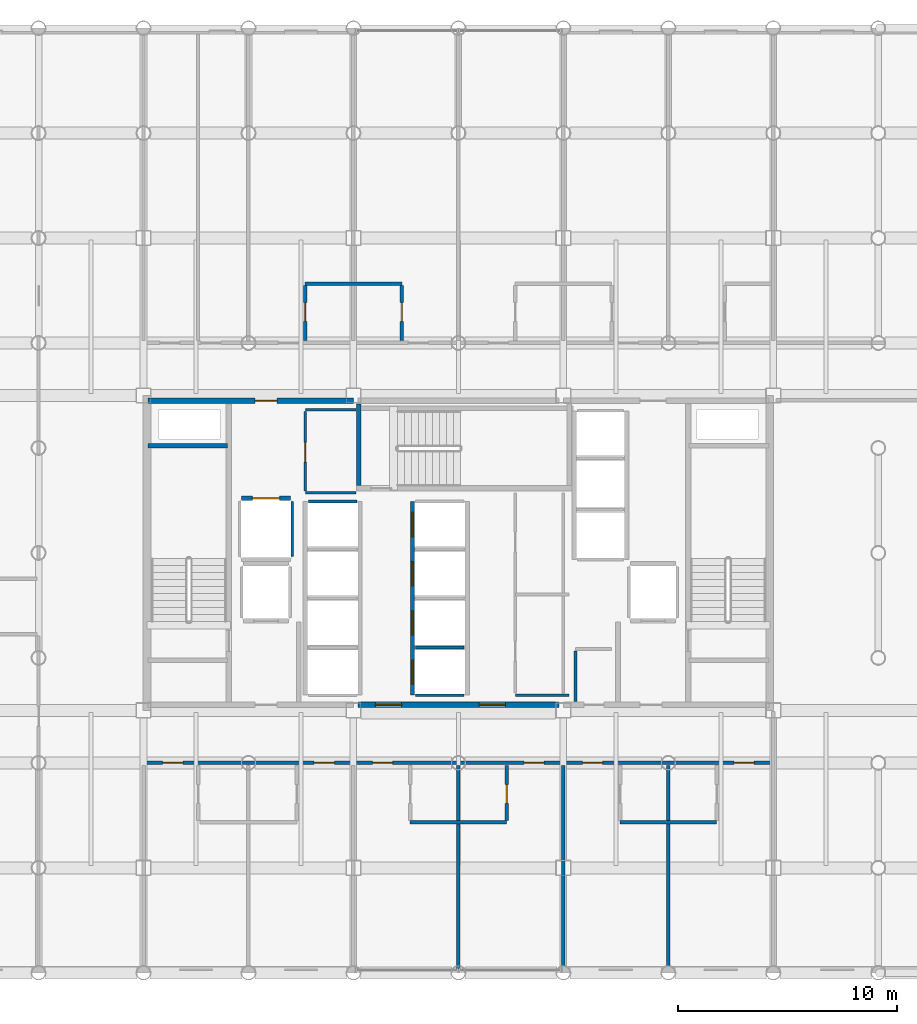
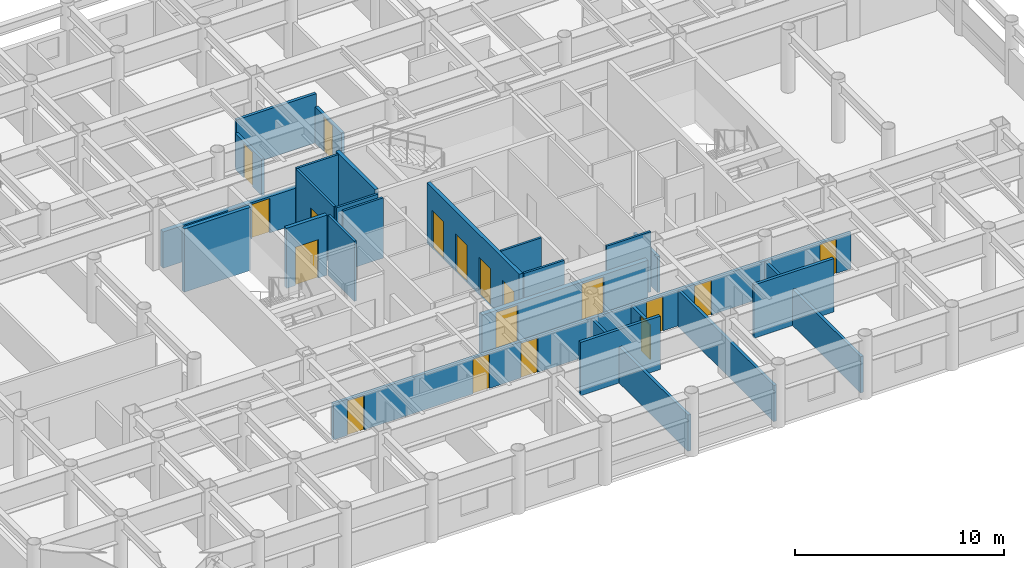
# One storey, part 18 of 23: 25 walls, 18 doors, 18 openings.
"""IFC4 building model written with IfcOpenShell, lengths in metres."""

from ifc_helpers import new_model, si_unit, direction, frame, frame_2d, origin, place, context, subcontext, project, spatial, rectangle, extrude, material, layer, layer_set, type_object, element, fill, save


model = new_model("IFC4")

# Units and contexts
model_context = context("Model", 3, precision=1e-05, world=origin(), true_north=direction((0.0, 1.0)))
body_context = subcontext(model_context, "Body", "Model", "MODEL_VIEW")
ifc_project = project(units=[si_unit("LENGTHUNIT", "METRE"), si_unit("AREAUNIT", "SQUARE_METRE"), si_unit("VOLUMEUNIT", "CUBIC_METRE"), si_unit("PLANEANGLEUNIT", "RADIAN"), si_unit("MASSUNIT", "GRAM", prefix="KILO")], contexts=[model_context])

# Site, building, storey
site_placement = place(None, origin())
site = spatial("IfcSite", under=ifc_project, at=site_placement, CompositionType="ELEMENT")
building_placement = place(site_placement, origin())
building = spatial("IfcBuilding", under=site, at=building_placement, Name="Kallvorn Hotel Tower", CompositionType="ELEMENT")
storey_placement = place(building_placement, frame((0.0, 0.0, 124.800048828125)))
storey = spatial("IfcBuildingStorey", under=building, at=storey_placement, Name="L30", CompositionType="ELEMENT", Elevation=124.800048828125)

# Walls
ifc_material_1 = material(Name="Fire-rated double-layer acoustic gypsum drywall EI 60")
ifc_layer_1 = layer(ifc_material_1, 0.159912109375)
ifc_layer_set_1 = layer_set([ifc_layer_1], Name="WL_DEMISE_160")
wall_type_1 = type_object("IfcWallType", Name="WL_DEMISE_160", PredefinedType="PARTITIONING", material=ifc_layer_set_1)
wall_1_placement = place(storey_placement, frame((-2.2099609375, -12.320068359375, 0.0), z_axis=(0.0, 0.0, 1.0), x_axis=(1.0, 0.0, 0.0)))
element("IfcWall", 1, at=wall_1_placement, inside=storey, type_object=wall_type_1, Name="L30 Suite 3003 Superior Twin Room Partition", PredefinedType="PARTITIONING", context=body_context, shape_type="SweptSolid", body=[
    extrude(rectangle(XDim=4.419921875, YDim=0.159912109375, at=frame_2d((2.2099609375, 0.0))), origin(), (0.0, 0.0, 1.0), 3.119873046875),
])
wall_2_placement = place(storey_placement, frame((7.389892578125, -12.320068359375, 0.0), z_axis=(0.0, 0.0, 1.0), x_axis=(1.0, 0.0, 0.0)))
element("IfcWall", 2, at=wall_2_placement, inside=storey, type_object=wall_type_1, Name="L30 Suite 3005 Superior Twin Room Partition", PredefinedType="PARTITIONING", context=body_context, shape_type="SweptSolid", body=[
    extrude(rectangle(XDim=4.420166015625, YDim=0.159912109375, at=frame_2d((2.2099609375, 0.0))), origin(), (0.0, 0.0, 1.0), 3.119873046875),
])

# Wall, openings, doors
wall_3_placement = place(storey_placement, frame((-14.320068359375, -9.60009765625, 0.0), z_axis=(0.0, 0.0, 1.0), x_axis=(1.0, 0.0, 0.0)))
wall_3 = element("IfcWall", 3, at=wall_3_placement, inside=storey, type_object=wall_type_1, Name="L30 Suite 3001 Superior Twin Room Partition", PredefinedType="PARTITIONING", context=body_context, shape_type="SweptSolid", body=[
    extrude(rectangle(XDim=28.64013671875, YDim=0.159912109375, at=frame_2d((14.320068359375, 0.0))), origin(), (0.0, 0.0, 1.0), 2.119873046875),
])
opening_1_placement = place(wall_3_placement, frame((0.794921875, 0.0, 0.0)))
opening_1 = element("IfcOpeningElement", 4, at=opening_1_placement, cuts=wall_3, Name="Opening GD1A", PredefinedType="OPENING", context=body_context, shape_type="SweptSolid", body=[
    extrude(rectangle(XDim=0.919921875, YDim=2.02001953125, at=frame_2d((0.4599609375, 1.010009765625))), frame((0.0, 0.094970703125, 0.0), z_axis=(0.0, -1.0, 0.0), x_axis=(1.0, 0.0, 0.0)), (0.0, 0.0, 1.0), 0.18994140625),
])
opening_2_placement = place(wall_3_placement, frame((7.72509765625, 0.0, 0.0)))
opening_2 = element("IfcOpeningElement", 5, at=opening_2_placement, cuts=wall_3, Name="Opening GD1A", PredefinedType="OPENING", context=body_context, shape_type="SweptSolid", body=[
    extrude(rectangle(XDim=0.919921875, YDim=2.02001953125, at=frame_2d((0.4599609375, 1.010009765625))), frame((0.0, 0.094970703125, 0.0), z_axis=(0.0, -1.0, 0.0), x_axis=(1.0, 0.0, 0.0)), (0.0, 0.0, 1.0), 0.18994140625),
])
opening_3_placement = place(wall_3_placement, frame((10.39501953125, 0.0, 0.0)))
opening_3 = element("IfcOpeningElement", 6, at=opening_3_placement, cuts=wall_3, Name="Opening GD1A", PredefinedType="OPENING", context=body_context, shape_type="SweptSolid", body=[
    extrude(rectangle(XDim=0.919921875, YDim=2.02001953125, at=frame_2d((0.4599609375, 1.010009765625))), frame((0.0, 0.094970703125, 0.0), z_axis=(0.0, -1.0, 0.0), x_axis=(1.0, 0.0, 0.0)), (0.0, 0.0, 1.0), 0.18994140625),
])
opening_4_placement = place(wall_3_placement, frame((17.324951171875, 0.0, 0.0)))
opening_4 = element("IfcOpeningElement", 7, at=opening_4_placement, cuts=wall_3, Name="Opening GD1A", PredefinedType="OPENING", context=body_context, shape_type="SweptSolid", body=[
    extrude(rectangle(XDim=0.919921875, YDim=2.02001953125, at=frame_2d((0.4599609375, 1.010009765625))), frame((0.0, 0.094970703125, 0.0), z_axis=(0.0, -1.0, 0.0), x_axis=(1.0, 0.0, 0.0)), (0.0, 0.0, 1.0), 0.18994140625),
])
opening_5_placement = place(wall_3_placement, frame((19.9951171875, 0.0, 0.0)))
opening_5 = element("IfcOpeningElement", 8, at=opening_5_placement, cuts=wall_3, Name="Opening GD1A", PredefinedType="OPENING", context=body_context, shape_type="SweptSolid", body=[
    extrude(rectangle(XDim=0.919921875, YDim=2.02001953125, at=frame_2d((0.4599609375, 1.010009765625))), frame((0.0, 0.094970703125, 0.0), z_axis=(0.0, -1.0, 0.0), x_axis=(1.0, 0.0, 0.0)), (0.0, 0.0, 1.0), 0.18994140625),
])
opening_6_placement = place(wall_3_placement, frame((26.925048828125, 0.0, 0.0)))
opening_6 = element("IfcOpeningElement", 9, at=opening_6_placement, cuts=wall_3, Name="Opening GD1A", PredefinedType="OPENING", context=body_context, shape_type="SweptSolid", body=[
    extrude(rectangle(XDim=0.919921875, YDim=2.02001953125, at=frame_2d((0.4599609375, 1.010009765625))), frame((0.0, 0.094970703125, 0.0), z_axis=(0.0, -1.0, 0.0), x_axis=(1.0, 0.0, 0.0)), (0.0, 0.0, 1.0), 0.18994140625),
])
ifc_material_2 = material(Name="Solid-core walnut veneer fire-rated timber door leaf", Category="wood")
door_type_1 = type_object("IfcDoorType", Name="DR_GUEST_920x2020", OperationType="NOTDEFINED", PredefinedType="DOOR", material=ifc_material_2)
door_1_placement = place(opening_1_placement, origin())
door_1 = element("IfcDoor", 10, at=door_1_placement, inside=storey, type_object=door_type_1, Name="L30 Suite 3001 Superior Twin Room Door", OperationType="SINGLE_SWING_LEFT", OverallHeight=2.02001953125, OverallWidth=0.919921875, PredefinedType="DOOR", context=body_context, shape_type="SweptSolid", body=[
    extrude(rectangle(XDim=0.919921875, YDim=2.02001953125, at=frame_2d((0.4599609375, 1.010009765625))), frame((0.0, 0.02490234375, 0.0), z_axis=(0.0, -1.0, 0.0), x_axis=(1.0, 0.0, 0.0)), (0.0, 0.0, 1.0), 0.050048828125),
])
fill(opening_1, door_1)
door_2_placement = place(opening_2_placement, origin())
door_2 = element("IfcDoor", 11, at=door_2_placement, inside=storey, type_object=door_type_1, Name="L30 Suite 3002 Superior Twin Room Door", OperationType="SINGLE_SWING_LEFT", OverallHeight=2.02001953125, OverallWidth=0.919921875, PredefinedType="DOOR", context=body_context, shape_type="SweptSolid", body=[
    extrude(rectangle(XDim=0.919921875, YDim=2.02001953125, at=frame_2d((0.4599609375, 1.010009765625))), frame((0.0, 0.02490234375, 0.0), z_axis=(0.0, -1.0, 0.0), x_axis=(1.0, 0.0, 0.0)), (0.0, 0.0, 1.0), 0.050048828125),
])
fill(opening_2, door_2)
door_3_placement = place(opening_3_placement, origin())
door_3 = element("IfcDoor", 12, at=door_3_placement, inside=storey, type_object=door_type_1, Name="L30 Suite 3003 Superior Twin Room Door", OperationType="SINGLE_SWING_RIGHT", OverallHeight=2.02001953125, OverallWidth=0.919921875, PredefinedType="DOOR", context=body_context, shape_type="SweptSolid", body=[
    extrude(rectangle(XDim=0.919921875, YDim=2.02001953125, at=frame_2d((0.4599609375, 1.010009765625))), frame((0.0, 0.02490234375, 0.0), z_axis=(0.0, -1.0, 0.0), x_axis=(1.0, 0.0, 0.0)), (0.0, 0.0, 1.0), 0.050048828125),
])
fill(opening_3, door_3)
door_4_placement = place(opening_4_placement, origin())
door_4 = element("IfcDoor", 13, at=door_4_placement, inside=storey, type_object=door_type_1, Name="L30 Suite 3004 Superior Twin Room Door", OperationType="SINGLE_SWING_RIGHT", OverallHeight=2.02001953125, OverallWidth=0.919921875, PredefinedType="DOOR", context=body_context, shape_type="SweptSolid", body=[
    extrude(rectangle(XDim=0.919921875, YDim=2.02001953125, at=frame_2d((0.4599609375, 1.010009765625))), frame((0.0, 0.02490234375, 0.0), z_axis=(0.0, -1.0, 0.0), x_axis=(1.0, 0.0, 0.0)), (0.0, 0.0, 1.0), 0.050048828125),
])
fill(opening_4, door_4)
door_5_placement = place(opening_5_placement, origin())
door_5 = element("IfcDoor", 14, at=door_5_placement, inside=storey, type_object=door_type_1, Name="L30 Suite 3005 Superior Twin Room Door", OperationType="SINGLE_SWING_RIGHT", OverallHeight=2.02001953125, OverallWidth=0.919921875, PredefinedType="DOOR", context=body_context, shape_type="SweptSolid", body=[
    extrude(rectangle(XDim=0.919921875, YDim=2.02001953125, at=frame_2d((0.4599609375, 1.010009765625))), frame((0.0, 0.02490234375, 0.0), z_axis=(0.0, -1.0, 0.0), x_axis=(1.0, 0.0, 0.0)), (0.0, 0.0, 1.0), 0.050048828125),
])
fill(opening_5, door_5)
door_6_placement = place(opening_6_placement, origin())
door_6 = element("IfcDoor", 15, at=door_6_placement, inside=storey, type_object=door_type_1, Name="L30 Suite 3006 Superior Twin Room Door", OperationType="SINGLE_SWING_LEFT", OverallHeight=2.02001953125, OverallWidth=0.919921875, PredefinedType="DOOR", context=body_context, shape_type="SweptSolid", body=[
    extrude(rectangle(XDim=0.919921875, YDim=2.02001953125, at=frame_2d((0.4599609375, 1.010009765625))), frame((0.0, 0.02490234375, 0.0), z_axis=(0.0, -1.0, 0.0), x_axis=(1.0, 0.0, 0.0)), (0.0, 0.0, 1.0), 0.050048828125),
])
fill(opening_6, door_6)

# Wall
wall_4_placement = place(storey_placement, frame((-7.010009765625, 12.320068359375, 0.0), z_axis=(0.0, 0.0, 1.0), x_axis=(1.0, 0.0, 0.0)))
element("IfcWall", 16, at=wall_4_placement, inside=storey, type_object=wall_type_1, Name="L30 Suite 3007 Standard Twin Room Partition", PredefinedType="PARTITIONING", context=body_context, shape_type="SweptSolid", body=[
    extrude(rectangle(XDim=4.419921875, YDim=0.159912109375, at=frame_2d((2.2099609375, 0.0))), origin(), (0.0, 0.0, 1.0), 2.869873046875),
])

# Wall, opening, door
wall_5_placement = place(storey_placement, frame((-7.006591796875, 9.719970703125, 0.0), z_axis=(0.0, 0.0, 1.0), x_axis=(0.0, 1.0, 0.0)))
wall_5 = element("IfcWall", 17, at=wall_5_placement, inside=storey, type_object=wall_type_1, Name="L30 Suite 3007 Standard Twin Room Partition", PredefinedType="PARTITIONING", context=body_context, shape_type="SweptSolid", body=[
    extrude(rectangle(XDim=2.51513671875, YDim=0.159912109375, at=frame_2d((1.257568359375, 0.0))), origin(), (0.0, 0.0, 1.0), 2.119873046875),
])
opening_7_placement = place(wall_5_placement, frame((0.8701171875, 0.0, 0.0)))
opening_7 = element("IfcOpeningElement", 18, at=opening_7_placement, cuts=wall_5, Name="Opening BD-IA", PredefinedType="OPENING", context=body_context, shape_type="SweptSolid", body=[
    extrude(rectangle(XDim=0.860107421875, YDim=2.02001953125, at=frame_2d((0.43017578125, 1.010009765625))), frame((0.0, 0.094970703125, 0.0), z_axis=(0.0, -1.0, 0.0), x_axis=(1.0, 0.0, 0.0)), (0.0, 0.0, 1.0), 0.18994140625),
])
ifc_material_3 = material(Name="Solid-core walnut veneer fire-rated timber door leaf", Category="wood")
door_type_2 = type_object("IfcDoorType", Name="DR_BATH_860x2020", OperationType="NOTDEFINED", PredefinedType="DOOR", material=ifc_material_3)
door_7_placement = place(opening_7_placement, origin())
door_7 = element("IfcDoor", 19, at=door_7_placement, inside=storey, type_object=door_type_2, Name="L30 Suite 3007 En-Suite Bathroom Door", OperationType="SINGLE_SWING_RIGHT", OverallHeight=2.02001953125, OverallWidth=0.860107421875, PredefinedType="DOOR", context=body_context, shape_type="SweptSolid", body=[
    extrude(rectangle(XDim=0.860107421875, YDim=2.02001953125, at=frame_2d((0.43017578125, 1.010009765625))), frame((0.0, 0.02490234375, 0.0), z_axis=(0.0, -1.0, 0.0), x_axis=(1.0, 0.0, 0.0)), (0.0, 0.0, 1.0), 0.050048828125),
])
fill(opening_7, door_7)

wall_6_placement = place(storey_placement, frame((-2.590087890625, 9.719970703125, 0.0), z_axis=(0.0, 0.0, 1.0), x_axis=(0.0, 1.0, 0.0)))
wall_6 = element("IfcWall", 20, at=wall_6_placement, inside=storey, type_object=wall_type_1, Name="L30 Suite 3008 Standard Twin Room Partition", PredefinedType="PARTITIONING", context=body_context, shape_type="SweptSolid", body=[
    extrude(rectangle(XDim=2.51513671875, YDim=0.159912109375, at=frame_2d((1.257568359375, 0.0))), origin(), (0.0, 0.0, 1.0), 2.119873046875),
])
opening_8_placement = place(wall_6_placement, frame((0.8701171875, 0.0, 0.0)))
opening_8 = element("IfcOpeningElement", 21, at=opening_8_placement, cuts=wall_6, Name="Opening BD-IA", PredefinedType="OPENING", context=body_context, shape_type="SweptSolid", body=[
    extrude(rectangle(XDim=0.860107421875, YDim=2.02001953125, at=frame_2d((0.43017578125, 1.010009765625))), frame((0.0, 0.094970703125, 0.0), z_axis=(0.0, -1.0, 0.0), x_axis=(1.0, 0.0, 0.0)), (0.0, 0.0, 1.0), 0.18994140625),
])
door_8_placement = place(opening_8_placement, origin())
door_8 = element("IfcDoor", 22, at=door_8_placement, inside=storey, type_object=door_type_2, Name="L30 Suite 3008 En-Suite Bathroom Door", OperationType="SINGLE_SWING_LEFT", OverallHeight=2.02001953125, OverallWidth=0.860107421875, PredefinedType="DOOR", context=body_context, shape_type="SweptSolid", body=[
    extrude(rectangle(XDim=0.860107421875, YDim=2.02001953125, at=frame_2d((0.43017578125, 1.010009765625))), frame((0.0, 0.02490234375, 0.0), z_axis=(0.0, -1.0, 0.0), x_axis=(1.0, 0.0, 0.0)), (0.0, 0.0, 1.0), 0.050048828125),
])
fill(opening_8, door_8)

# Wall
wall_7_placement = place(storey_placement, frame((0.0, -18.9951171875, 0.0), z_axis=(0.0, 0.0, 1.0), x_axis=(0.0, 1.0, 0.0)))
element("IfcWall", 23, at=wall_7_placement, inside=storey, type_object=wall_type_1, Name="L30 Suite 3003 Superior Twin Room Partition", PredefinedType="PARTITIONING", context=body_context, shape_type="SweptSolid", body=[
    extrude(rectangle(XDim=9.275146484375, YDim=0.159912109375, at=frame_2d((4.6376953125, 0.0))), origin(), (0.0, 0.0, 1.0), 2.119873046875),
])

# Wall, opening, door
wall_8_placement = place(storey_placement, frame((2.2099609375, -12.235107421875, 0.0), z_axis=(0.0, 0.0, 1.0), x_axis=(0.0, 1.0, 0.0)))
wall_8 = element("IfcWall", 24, at=wall_8_placement, inside=storey, type_object=wall_type_1, Name="L30 Suite 3004 Superior Twin Room Partition", PredefinedType="PARTITIONING", context=body_context, shape_type="SweptSolid", body=[
    extrude(rectangle(XDim=2.51513671875, YDim=0.159912109375, at=frame_2d((1.257568359375, 0.0))), origin(), (0.0, 0.0, 1.0), 2.119873046875),
])
opening_9_placement = place(wall_8_placement, frame((0.784912109375, 0.0, 0.0)))
opening_9 = element("IfcOpeningElement", 25, at=opening_9_placement, cuts=wall_8, Name="Opening BD-IA", PredefinedType="OPENING", context=body_context, shape_type="SweptSolid", body=[
    extrude(rectangle(XDim=0.860107421875, YDim=2.02001953125, at=frame_2d((0.43017578125, 1.010009765625))), frame((0.0, 0.094970703125, 0.0), z_axis=(0.0, -1.0, 0.0), x_axis=(1.0, 0.0, 0.0)), (0.0, 0.0, 1.0), 0.18994140625),
])
door_9_placement = place(opening_9_placement, origin())
door_9 = element("IfcDoor", 26, at=door_9_placement, inside=storey, type_object=door_type_2, Name="L30 Suite 3004 En-Suite Bathroom Door", OperationType="SINGLE_SWING_LEFT", OverallHeight=2.02001953125, OverallWidth=0.860107421875, PredefinedType="DOOR", context=body_context, shape_type="SweptSolid", body=[
    extrude(rectangle(XDim=0.860107421875, YDim=2.02001953125, at=frame_2d((0.43017578125, 1.010009765625))), frame((0.0, 0.02490234375, 0.0), z_axis=(0.0, -1.0, 0.0), x_axis=(1.0, 0.0, 0.0)), (0.0, 0.0, 1.0), 0.050048828125),
])
fill(opening_9, door_9)

# Walls
for number, where, z_axis, x_axis, name in (
    (27, (4.800048828125, -18.909912109375, 0.0), (0.0, 0.0, 1.0), (0.0, 1.0, 0.0), "L30 Suite 3004 Superior Twin Room Partition"),
    (28, (9.60009765625, -18.909912109375, 0.0), (0.0, 0.0, 1.0), (0.0, 1.0, 0.0), "L30 Suite 3005 Superior Twin Room Partition"),
):
    element("IfcWall", number, at=place(storey_placement, frame(where, z_axis=z_axis, x_axis=x_axis)), inside=storey, type_object=wall_type_1, Name=name, PredefinedType="PARTITIONING", context=body_context, shape_type="SweptSolid", body=[
        extrude(rectangle(XDim=9.18994140625, YDim=0.159912109375, at=frame_2d((4.594970703125, 0.0))), origin(), (0.0, 0.0, 1.0), 2.119873046875),
    ])
ifc_material_4 = material(Name="Concrete C40/50", Category="concrete")
ifc_layer_2 = layer(ifc_material_4, 0.199951171875)
ifc_layer_set_2 = layer_set([ifc_layer_2], Name="WL_HOIST_200")
wall_type_2 = type_object("IfcWallType", Name="WL_HOIST_200", PredefinedType="SOLIDWALL", material=ifc_layer_set_2)
wall_9_placement = place(storey_placement, frame((-14.199951171875, 4.89990234375, -0.179931640625), z_axis=(0.0, 0.0, 1.0), x_axis=(1.0, 0.0, 0.0)))
element("IfcWall", 29, at=wall_9_placement, inside=storey, type_object=wall_type_2, Name="L30 Stair ST1 North Wall", PredefinedType="SOLIDWALL", context=body_context, shape_type="SweptSolid", body=[
    extrude(rectangle(XDim=3.64990234375, YDim=0.199951171875, at=frame_2d((1.824951171875, 0.0))), origin(), (0.0, 0.0, 1.0), 3.699951171875),
])
wall_10_placement = place(storey_placement, frame((-4.550048828125, 3.080078125, -0.179931640625), z_axis=(0.0, 0.0, 1.0), x_axis=(0.0, 1.0, 0.0)))
element("IfcWall", 30, at=wall_10_placement, inside=storey, type_object=wall_type_2, Name="L30 Stair ST3 West Wall", PredefinedType="SOLIDWALL", context=body_context, shape_type="SweptSolid", body=[
    extrude(rectangle(XDim=3.739990234375, YDim=0.199951171875, at=frame_2d((1.8701171875, 0.0))), origin(), (0.0, 0.0, 1.0), 3.699951171875),
])

# Wall, openings, doors
wall_11_placement = place(storey_placement, frame((-2.10009765625, -6.5, 0.0), z_axis=(0.0, 0.0, 1.0), x_axis=(0.0, 1.0, 0.0)))
wall_11 = element("IfcWall", 31, at=wall_11_placement, inside=storey, type_object=wall_type_2, Name="L30 Lift Bank B2 Landing Wall", PredefinedType="SOLIDWALL", context=body_context, shape_type="SweptSolid", body=[
    extrude(rectangle(XDim=8.85009765625, YDim=0.199951171875, at=frame_2d((4.425048828125, 0.0))), origin(), (0.0, 0.0, 1.0), 3.52001953125),
])
opening_10_placement = place(wall_11_placement, frame((0.5, 0.0, 0.0)))
opening_10 = element("IfcOpeningElement", 32, at=opening_10_placement, cuts=wall_11, Name="Opening LD-PL-05", PredefinedType="OPENING", context=body_context, shape_type="SweptSolid", body=[
    extrude(rectangle(XDim=1.10009765625, YDim=2.199951171875, at=frame_2d((0.550048828125, 1.10009765625))), frame((0.0, 0.114990234375, 0.0), z_axis=(0.0, -1.0, 0.0), x_axis=(1.0, 0.0, 0.0)), (0.0, 0.0, 1.0), 0.22998046875),
])
opening_11_placement = place(wall_11_placement, frame((2.75, 0.0, 0.0)))
opening_11 = element("IfcOpeningElement", 33, at=opening_11_placement, cuts=wall_11, Name="Opening LD-PL-06", PredefinedType="OPENING", context=body_context, shape_type="SweptSolid", body=[
    extrude(rectangle(XDim=1.10009765625, YDim=2.199951171875, at=frame_2d((0.550048828125, 1.10009765625))), frame((0.0, 0.114990234375, 0.0), z_axis=(0.0, -1.0, 0.0), x_axis=(1.0, 0.0, 0.0)), (0.0, 0.0, 1.0), 0.22998046875),
])
opening_12_placement = place(wall_11_placement, frame((5.0, 0.0, 0.0)))
opening_12 = element("IfcOpeningElement", 34, at=opening_12_placement, cuts=wall_11, Name="Opening LD-PL-07", PredefinedType="OPENING", context=body_context, shape_type="SweptSolid", body=[
    extrude(rectangle(XDim=1.10009765625, YDim=2.199951171875, at=frame_2d((0.550048828125, 1.10009765625))), frame((0.0, 0.114990234375, 0.0), z_axis=(0.0, -1.0, 0.0), x_axis=(1.0, 0.0, 0.0)), (0.0, 0.0, 1.0), 0.22998046875),
])
opening_13_placement = place(wall_11_placement, frame((7.25, 0.0, 0.0)))
opening_13 = element("IfcOpeningElement", 35, at=opening_13_placement, cuts=wall_11, Name="Opening LD-PL-08", PredefinedType="OPENING", context=body_context, shape_type="SweptSolid", body=[
    extrude(rectangle(XDim=1.10009765625, YDim=2.199951171875, at=frame_2d((0.550048828125, 1.10009765625))), frame((0.0, 0.114990234375, 0.0), z_axis=(0.0, -1.0, 0.0), x_axis=(1.0, 0.0, 0.0)), (0.0, 0.0, 1.0), 0.22998046875),
])
ifc_material_5 = material(Name="Brushed stainless-steel automatic sliding lift landing door", Category="steel")
door_type_3 = type_object("IfcDoorType", Name="LD_PASS_1100x2200", OperationType="SLIDING_TO_LEFT", PredefinedType="DOOR", material=ifc_material_5)
door_10_placement = place(opening_10_placement, origin())
door_10 = element("IfcDoor", 36, at=door_10_placement, inside=storey, type_object=door_type_3, Name="L30 Lift Landing Sliding Door LD-PL-05", OperationType="SLIDING_TO_LEFT", OverallHeight=2.199951171875, OverallWidth=1.10009765625, PredefinedType="DOOR", context=body_context, shape_type="SweptSolid", body=[
    extrude(rectangle(XDim=1.10009765625, YDim=2.199951171875, at=frame_2d((0.550048828125, 1.10009765625))), frame((0.0, 0.02490234375, 0.0), z_axis=(0.0, -1.0, 0.0), x_axis=(1.0, 0.0, 0.0)), (0.0, 0.0, 1.0), 0.050048828125),
])
fill(opening_10, door_10)
door_11_placement = place(opening_11_placement, origin())
door_11 = element("IfcDoor", 37, at=door_11_placement, inside=storey, type_object=door_type_3, Name="L30 Lift Landing Sliding Door LD-PL-06", OperationType="SLIDING_TO_LEFT", OverallHeight=2.199951171875, OverallWidth=1.10009765625, PredefinedType="DOOR", context=body_context, shape_type="SweptSolid", body=[
    extrude(rectangle(XDim=1.10009765625, YDim=2.199951171875, at=frame_2d((0.550048828125, 1.10009765625))), frame((0.0, 0.02490234375, 0.0), z_axis=(0.0, -1.0, 0.0), x_axis=(1.0, 0.0, 0.0)), (0.0, 0.0, 1.0), 0.050048828125),
])
fill(opening_11, door_11)
door_12_placement = place(opening_12_placement, origin())
door_12 = element("IfcDoor", 38, at=door_12_placement, inside=storey, type_object=door_type_3, Name="L30 Lift Landing Sliding Door LD-PL-07", OperationType="SLIDING_TO_LEFT", OverallHeight=2.199951171875, OverallWidth=1.10009765625, PredefinedType="DOOR", context=body_context, shape_type="SweptSolid", body=[
    extrude(rectangle(XDim=1.10009765625, YDim=2.199951171875, at=frame_2d((0.550048828125, 1.10009765625))), frame((0.0, 0.02490234375, 0.0), z_axis=(0.0, -1.0, 0.0), x_axis=(1.0, 0.0, 0.0)), (0.0, 0.0, 1.0), 0.050048828125),
])
fill(opening_12, door_12)
door_13_placement = place(opening_13_placement, origin())
door_13 = element("IfcDoor", 39, at=door_13_placement, inside=storey, type_object=door_type_3, Name="L30 Lift Landing Sliding Door LD-PL-08", OperationType="SLIDING_TO_LEFT", OverallHeight=2.199951171875, OverallWidth=1.10009765625, PredefinedType="DOOR", context=body_context, shape_type="SweptSolid", body=[
    extrude(rectangle(XDim=1.10009765625, YDim=2.199951171875, at=frame_2d((0.550048828125, 1.10009765625))), frame((0.0, 0.02490234375, 0.0), z_axis=(0.0, -1.0, 0.0), x_axis=(1.0, 0.0, 0.0)), (0.0, 0.0, 1.0), 0.050048828125),
])
fill(opening_13, door_13)

# Wall, opening, door
wall_12_placement = place(storey_placement, frame((-9.919921875, 2.5, 0.0), z_axis=(0.0, 0.0, 1.0), x_axis=(1.0, 0.0, 0.0)))
wall_12 = element("IfcWall", 40, at=wall_12_placement, inside=storey, type_object=wall_type_2, Name="L30 SV-01 Landing Wall", PredefinedType="SOLIDWALL", context=body_context, shape_type="SweptSolid", body=[
    extrude(rectangle(XDim=2.239990234375, YDim=0.199951171875, at=frame_2d((1.1201171875, 0.0))), origin(), (0.0, 0.0, 1.0), 3.52001953125),
])
opening_14_placement = place(wall_12_placement, frame((0.4951171875, 0.0, 0.0)))
opening_14 = element("IfcOpeningElement", 41, at=opening_14_placement, cuts=wall_12, Name="Opening LD-SV-01", PredefinedType="OPENING", context=body_context, shape_type="SweptSolid", body=[
    extrude(rectangle(XDim=1.25, YDim=2.25, at=frame_2d((0.625, 1.125))), frame((0.0, 0.114990234375, 0.0), z_axis=(0.0, -1.0, 0.0), x_axis=(1.0, 0.0, 0.0)), (0.0, 0.0, 1.0), 0.22998046875),
])
ifc_material_6 = material(Name="Brushed stainless-steel automatic sliding lift landing door", Category="steel")
door_type_4 = type_object("IfcDoorType", Name="LD_SERV_1250x2250", OperationType="SLIDING_TO_LEFT", PredefinedType="DOOR", material=ifc_material_6)
door_14_placement = place(opening_14_placement, origin())
door_14 = element("IfcDoor", 42, at=door_14_placement, inside=storey, type_object=door_type_4, Name="L30 Lift Landing Sliding Door LD-SV-01", OperationType="SLIDING_TO_LEFT", OverallHeight=2.25, OverallWidth=1.25, PredefinedType="DOOR", context=body_context, shape_type="SweptSolid", body=[
    extrude(rectangle(XDim=1.25, YDim=2.25, at=frame_2d((0.625, 1.125))), frame((0.0, 0.02490234375, 0.0), z_axis=(0.0, -1.0, 0.0), x_axis=(1.0, 0.0, 0.0)), (0.0, 0.0, 1.0), 0.050048828125),
])
fill(opening_14, door_14)

# Walls
ifc_material_7 = material(Name="Fire-rated double-layer acoustic gypsum drywall EI 60")
ifc_layer_3 = layer(ifc_material_7, 0.1201171875)
ifc_layer_set_3 = layer_set([ifc_layer_3], Name="WL_INT_120")
wall_type_3 = type_object("IfcWallType", Name="WL_INT_120", PredefinedType="PARTITIONING", material=ifc_layer_set_3)
wall_13_placement = place(storey_placement, frame((-6.860107421875, 2.35009765625, 0.0), z_axis=(0.0, 0.0, 1.0), x_axis=(1.0, 0.0, 0.0)))
element("IfcWall", 43, at=wall_13_placement, inside=storey, type_object=wall_type_3, Name="L30 PL-04 Hoistway Divider", PredefinedType="PARTITIONING", context=body_context, shape_type="SweptSolid", body=[
    extrude(rectangle(XDim=2.22021484375, YDim=0.1201171875, at=frame_2d((1.110107421875, 0.0))), origin(), (0.0, 0.0, 1.0), 3.52001953125),
])
for number, where, z_axis, x_axis, name in (
    (44, (-1.9599609375, -6.5, 0.0), (0.0, 0.0, 1.0), (1.0, 0.0, 0.0), "L30 Lift Bank B2 South Closure Wall"),
    (45, (-1.9599609375, -4.324951171875, 0.0), (0.0, 0.0, 1.0), (1.0, 0.0, 0.0), "L30 PL-05 Hoistway Divider"),
):
    element("IfcWall", number, at=place(storey_placement, frame(where, z_axis=z_axis, x_axis=x_axis)), inside=storey, type_object=wall_type_3, Name=name, PredefinedType="PARTITIONING", context=body_context, shape_type="SweptSolid", body=[
        extrude(rectangle(XDim=2.219970703125, YDim=0.1201171875, at=frame_2d((1.10986328125, 0.0))), origin(), (0.0, 0.0, 1.0), 3.52001953125),
    ])
wall_14_placement = place(storey_placement, frame((-7.60009765625, -0.159912109375, 0.0), z_axis=(0.0, 0.0, 1.0), x_axis=(0.0, 1.0, 0.0)))
element("IfcWall", 46, at=wall_14_placement, inside=storey, type_object=wall_type_3, Name="L30 SV-01 East Shaft Wall", PredefinedType="PARTITIONING", context=body_context, shape_type="SweptSolid", body=[
    extrude(rectangle(XDim=2.52001953125, YDim=0.1201171875, at=frame_2d((1.260009765625, 0.0))), origin(), (0.0, 0.0, 1.0), 3.52001953125),
])
wall_15_placement = place(storey_placement, frame((2.60009765625, -6.5, 0.0), z_axis=(0.0, 0.0, 1.0), x_axis=(1.0, 0.0, 0.0)))
element("IfcWall", 47, at=wall_15_placement, inside=storey, type_object=wall_type_3, Name="L30 East Core Amenities and Minibar Store Partition", PredefinedType="PARTITIONING", context=body_context, shape_type="SweptSolid", body=[
    extrude(rectangle(XDim=2.449951171875, YDim=0.1201171875, at=frame_2d((1.22509765625, 0.0))), origin(), (0.0, 0.0, 1.0), 3.52001953125),
])
for number, where, z_axis, x_axis, name in (
    (48, (-7.0, 2.75, 0.0), (0.0, 0.0, 1.0), (1.0, 0.0, 0.0), "L30 Core Cleaners and Janitor Store Partition"),
    (49, (-7.0, 6.550048828125, 0.0), (0.0, 0.0, 1.0), (1.0, 0.0, 0.0), "L30 Core Cleaners and Janitor Store Partition"),
):
    element("IfcWall", number, at=place(storey_placement, frame(where, z_axis=z_axis, x_axis=x_axis)), inside=storey, type_object=wall_type_3, Name=name, PredefinedType="PARTITIONING", context=body_context, shape_type="SweptSolid", body=[
        extrude(rectangle(XDim=2.31005859375, YDim=0.1201171875, at=frame_2d((1.155029296875, 0.0))), origin(), (0.0, 0.0, 1.0), 3.52001953125),
    ])

# Wall, opening, door
wall_16_placement = place(storey_placement, frame((-7.006591796875, 2.8349609375, 0.0), z_axis=(0.0, 0.0, 1.0), x_axis=(0.0, 1.0, 0.0)))
wall_16 = element("IfcWall", 50, at=wall_16_placement, inside=storey, type_object=wall_type_3, Name="L30 Core Cleaners and Janitor Store Partition", PredefinedType="PARTITIONING", context=body_context, shape_type="SweptSolid", body=[
    extrude(rectangle(XDim=3.630126953125, YDim=0.1201171875, at=frame_2d((1.81494140625, 0.0))), origin(), (0.0, 0.0, 1.0), 3.52001953125),
])
opening_15_placement = place(wall_16_placement, frame((1.31494140625, 0.0, 0.0)))
opening_15 = element("IfcOpeningElement", 51, at=opening_15_placement, cuts=wall_16, Name="Opening SVD1", PredefinedType="OPENING", context=body_context, shape_type="SweptSolid", body=[
    extrude(rectangle(XDim=0.89990234375, YDim=2.10009765625, at=frame_2d((0.449951171875, 1.050048828125))), frame((0.0, 0.074951171875, 0.0), z_axis=(0.0, -1.0, 0.0), x_axis=(1.0, 0.0, 0.0)), (0.0, 0.0, 1.0), 0.150146484375),
])
ifc_material_8 = material(Name="Galvanised painted steel fire-rated door assembly", Category="steel")
door_type_5 = type_object("IfcDoorType", Name="DR_SERV_900x2100", OperationType="NOTDEFINED", PredefinedType="DOOR", material=ifc_material_8)
door_15_placement = place(opening_15_placement, origin())
door_15 = element("IfcDoor", 52, at=door_15_placement, inside=storey, type_object=door_type_5, Name="L30 Core Cleaners and Janitor Store Door", OperationType="SINGLE_SWING_RIGHT", OverallHeight=2.10009765625, OverallWidth=0.89990234375, PredefinedType="DOOR", context=body_context, shape_type="SweptSolid", body=[
    extrude(rectangle(XDim=0.89990234375, YDim=2.10009765625, at=frame_2d((0.449951171875, 1.050048828125))), frame((0.0, 0.02490234375, 0.0), z_axis=(0.0, -1.0, 0.0), x_axis=(1.0, 0.0, 0.0)), (0.0, 0.0, 1.0), 0.050048828125),
])
fill(opening_15, door_15)

# Wall
ifc_material_9 = material(Name="Moisture-resistant acoustic plumbing chase wall EI 60")
ifc_layer_4 = layer(ifc_material_9, 0.139892578125)
ifc_layer_set_4 = layer_set([ifc_layer_4], Name="WL_PLUMB_140")
wall_type_4 = type_object("IfcWallType", Name="WL_PLUMB_140", PredefinedType="PLUMBINGWALL", material=ifc_layer_set_4)
wall_17_placement = place(storey_placement, frame((5.35009765625, -6.800048828125, 0.0), z_axis=(0.0, 0.0, 1.0), x_axis=(0.0, 1.0, 0.0)))
element("IfcWall", 53, at=wall_17_placement, inside=storey, type_object=wall_type_4, Name="L30 Core Staff Restroom WC Partition", PredefinedType="PLUMBINGWALL", context=body_context, shape_type="SweptSolid", body=[
    extrude(rectangle(XDim=2.31494140625, YDim=0.139892578125, at=frame_2d((1.157470703125, 0.0))), origin(), (0.0, 0.0, 1.0), 2.119873046875),
])

# Wall, openings, doors
ifc_material_10 = material(Name="Concrete C40/50", Category="concrete")
ifc_layer_5 = layer(ifc_material_10, 0.25)
ifc_layer_set_5 = layer_set([ifc_layer_5], Name="WL_SHAFT_250")
wall_type_5 = type_object("IfcWallType", Name="WL_SHAFT_250", PredefinedType="SOLIDWALL", material=ifc_layer_set_5)
wall_18_placement = place(storey_placement, frame((-4.60009765625, -6.949951171875, 0.0), z_axis=(0.0, 0.0, 1.0), x_axis=(1.0, 0.0, 0.0)))
wall_18 = element("IfcWall", 54, at=wall_18_placement, inside=storey, type_object=wall_type_5, Name="L30 Core South-Central Wall", PredefinedType="SOLIDWALL", context=body_context, shape_type="SweptSolid", body=[
    extrude(rectangle(XDim=9.2001953125, YDim=0.25, at=frame_2d((4.60009765625, 0.0))), origin(), (0.0, 0.0, 1.0), 2.320068359375),
])
opening_16_placement = place(wall_18_placement, frame((0.800048828125, 0.0, 0.0)))
opening_16 = element("IfcOpeningElement", 55, at=opening_16_placement, cuts=wall_18, Name="Opening FD2", PredefinedType="OPENING", context=body_context, shape_type="SweptSolid", body=[
    extrude(rectangle(XDim=1.199951171875, YDim=2.199951171875, at=frame_2d((0.60009765625, 1.10009765625))), frame((0.0, 0.139892578125, 0.0), z_axis=(0.0, -1.0, 0.0), x_axis=(1.0, 0.0, 0.0)), (0.0, 0.0, 1.0), 0.280029296875),
])
opening_17_placement = place(wall_18_placement, frame((5.550048828125, 0.0, 0.0)))
opening_17 = element("IfcOpeningElement", 56, at=opening_17_placement, cuts=wall_18, Name="Opening FD2", PredefinedType="OPENING", context=body_context, shape_type="SweptSolid", body=[
    extrude(rectangle(XDim=1.199951171875, YDim=2.199951171875, at=frame_2d((0.60009765625, 1.10009765625))), frame((0.0, 0.139892578125, 0.0), z_axis=(0.0, -1.0, 0.0), x_axis=(1.0, 0.0, 0.0)), (0.0, 0.0, 1.0), 0.280029296875),
])
ifc_material_11 = material(Name="Galvanised painted steel fire-rated door assembly", Category="steel")
door_type_6 = type_object("IfcDoorType", Name="DR_LOBBY_1200x2200", OperationType="DOUBLE_DOOR_SINGLE_SWING", PredefinedType="DOOR", material=ifc_material_11)
door_16_placement = place(opening_16_placement, origin())
door_16 = element("IfcDoor", 57, at=door_16_placement, inside=storey, type_object=door_type_6, Name="L30 West Passenger Lift Lobby Door", OperationType="DOUBLE_DOOR_SINGLE_SWING", OverallHeight=2.199951171875, OverallWidth=1.199951171875, PredefinedType="DOOR", context=body_context, shape_type="SweptSolid", body=[
    extrude(rectangle(XDim=1.199951171875, YDim=2.199951171875, at=frame_2d((0.60009765625, 1.10009765625))), frame((0.0, 0.02490234375, 0.0), z_axis=(0.0, -1.0, 0.0), x_axis=(1.0, 0.0, 0.0)), (0.0, 0.0, 1.0), 0.050048828125),
])
fill(opening_16, door_16)
door_17_placement = place(opening_17_placement, origin())
door_17 = element("IfcDoor", 58, at=door_17_placement, inside=storey, type_object=door_type_6, Name="L30 East Passenger Lift Lobby Door", OperationType="DOUBLE_DOOR_SINGLE_SWING", OverallHeight=2.199951171875, OverallWidth=1.199951171875, PredefinedType="DOOR", context=body_context, shape_type="SweptSolid", body=[
    extrude(rectangle(XDim=1.199951171875, YDim=2.199951171875, at=frame_2d((0.60009765625, 1.10009765625))), frame((0.0, 0.02490234375, 0.0), z_axis=(0.0, -1.0, 0.0), x_axis=(1.0, 0.0, 0.0)), (0.0, 0.0, 1.0), 0.050048828125),
])
fill(opening_17, door_17)

# Wall, opening, door
wall_19_placement = place(storey_placement, frame((-14.199951171875, 6.949951171875, 0.0), z_axis=(0.0, 0.0, 1.0), x_axis=(1.0, 0.0, 0.0)))
wall_19 = element("IfcWall", 59, at=wall_19_placement, inside=storey, type_object=wall_type_5, Name="L30 Core North-West Wall", PredefinedType="SOLIDWALL", context=body_context, shape_type="SweptSolid", body=[
    extrude(rectangle(XDim=9.39990234375, YDim=0.25, at=frame_2d((4.699951171875, 0.0))), origin(), (0.0, 0.0, 1.0), 2.119873046875),
])
opening_18_placement = place(wall_19_placement, frame((4.89990234375, 0.0, 0.0)))
opening_18 = element("IfcOpeningElement", 60, at=opening_18_placement, cuts=wall_19, Name="Opening FD1A", PredefinedType="OPENING", context=body_context, shape_type="SweptSolid", body=[
    extrude(rectangle(XDim=1.0, YDim=2.02001953125, at=frame_2d((0.5, 1.010009765625))), frame((0.0, 0.139892578125, 0.0), z_axis=(0.0, -1.0, 0.0), x_axis=(1.0, 0.0, 0.0)), (0.0, 0.0, 1.0), 0.280029296875),
])
ifc_material_12 = material(Name="Galvanised painted steel fire-rated door assembly", Category="steel")
door_type_7 = type_object("IfcDoorType", Name="DR_FFL_1000x2020", OperationType="NOTDEFINED", PredefinedType="DOOR", material=ifc_material_12)
door_18_placement = place(opening_18_placement, origin())
door_18 = element("IfcDoor", 61, at=door_18_placement, inside=storey, type_object=door_type_7, Name="L30 Service Lift Lobby Door", OperationType="SINGLE_SWING_LEFT", OverallHeight=2.02001953125, OverallWidth=1.0, PredefinedType="DOOR", context=body_context, shape_type="SweptSolid", body=[
    extrude(rectangle(XDim=1.0, YDim=2.02001953125, at=frame_2d((0.5, 1.010009765625))), frame((0.0, 0.02490234375, 0.0), z_axis=(0.0, -1.0, 0.0), x_axis=(1.0, 0.0, 0.0)), (0.0, 0.0, 1.0), 0.050048828125),
])
fill(opening_18, door_18)

save(model, "model.ifc")
